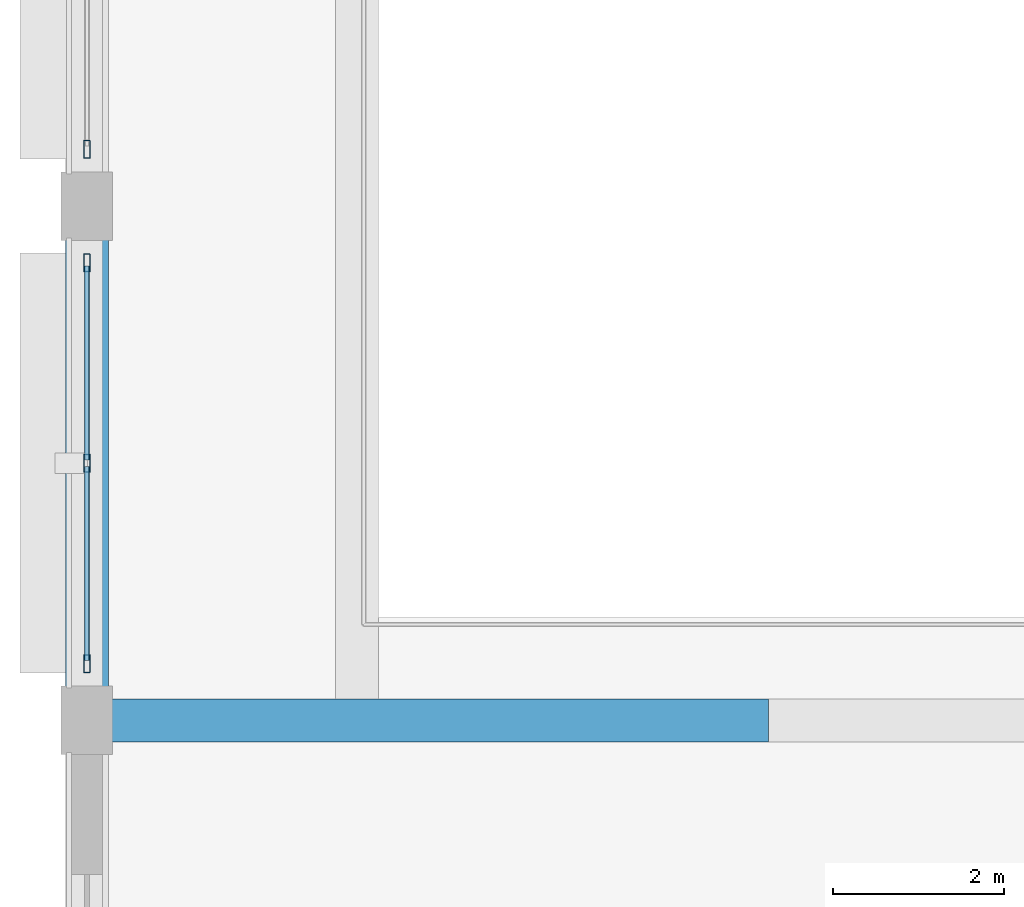
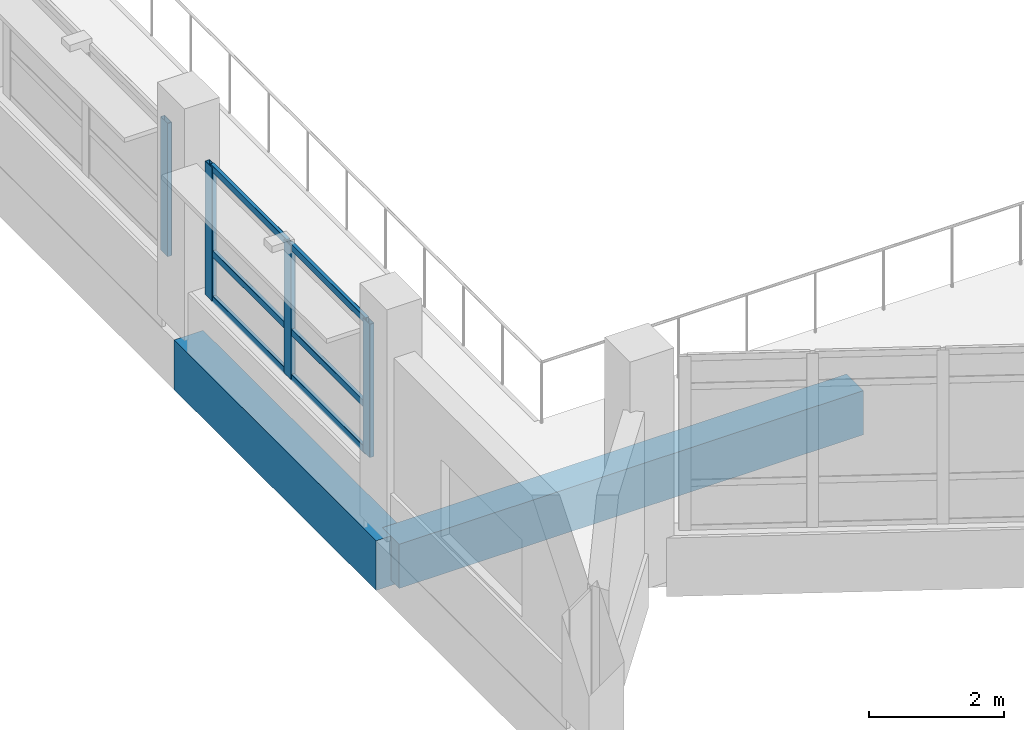
# One storey, part 14 of 128: 10 members, 2 beams, 2 elements without a shape of their own.
"""IFC4 building model written with IfcOpenShell, lengths in metres."""

import ifcopenshell
import ifcopenshell.guid

model = None  # the IFC model being written
_history = None  # IfcOwnerHistory: only IFC2X3 demands one
_inside = {}  # id of a spatial element -> (the spatial element, [elements in it])
_under = {}  # id of a project, library or spatial element -> (it, [spatial elements below it])
_declared = {}  # id of a project -> (the project, [libraries it declares])
_typed = {}  # id of a type object -> (the type object, [elements of that type])
_made_of = {}  # id of a material, layer set ... -> (it, [elements and type objects made of it])


def new_model(schema):
    """Start an empty IFC model of exactly this schema.

    Asked for "IFC4X3", IfcOpenShell would pick the latest addendum, in which some entities
    have other attributes; the version numbers below select the first issue.
    IFC2X3 requires an IfcOwnerHistory on every rooted entity: one is made here for all.
    """
    global model, _history
    if schema == "IFC4X3":
        model = ifcopenshell.file(schema_version=(4, 3, 0, 0))
    else:
        model = ifcopenshell.file(schema=schema)
    _inside.clear()
    _under.clear()
    _declared.clear()
    _typed.clear()
    _made_of.clear()
    _history = None
    if model.schema == "IFC2X3":
        org = make("IfcOrganization", Name="unknown")
        user = make(
            "IfcPersonAndOrganization",
            ThePerson=make("IfcPerson", FamilyName="unknown"),
            TheOrganization=org,
        )
        app = make(
            "IfcApplication",
            ApplicationDeveloper=org,
            Version="unknown",
            ApplicationFullName="unknown",
            ApplicationIdentifier="unknown",
        )
        _history = make(
            "IfcOwnerHistory",
            OwningUser=user,
            OwningApplication=app,
            ChangeAction="ADDED",
            CreationDate=0,
        )
    return model


def make(cls, **values):
    """One entity of the class cls with the attributes given. An attribute that is None is left unset."""
    return model.create_entity(
        cls, **{name: value for name, value in values.items() if value is not None}
    )


def rooted(cls, **values):
    """An entity with a GlobalId (a new one), such as an element, a storey or a relation."""
    return make(cls, GlobalId=ifcopenshell.guid.new(), OwnerHistory=_history, **values)


def si_unit(unit_type, name, prefix=None):
    """IfcSIUnit, for example si_unit("LENGTHUNIT", "METRE", prefix="MILLI")."""
    return make("IfcSIUnit", UnitType=unit_type, Prefix=prefix, Name=name)


def assignment(units):
    """IfcUnitAssignment: the units of a project."""
    return None if units is None else make("IfcUnitAssignment", Units=units)


def point(xyz):
    """IfcCartesianPoint."""
    return None if xyz is None else make("IfcCartesianPoint", Coordinates=xyz)


def direction(xyz):
    """IfcDirection."""
    return None if xyz is None else make("IfcDirection", DirectionRatios=xyz)


def frame(location, z_axis=None, x_axis=None):
    """IfcAxis2Placement3D, a coordinate frame: its origin and axes. An axis left out is left unset."""
    return make(
        "IfcAxis2Placement3D",
        Location=point(location),
        Axis=direction(z_axis),
        RefDirection=direction(x_axis),
    )


def frame_2d(location, x_axis=None):
    """IfcAxis2Placement2D, a coordinate frame in the plane: its origin and x axis."""
    return make(
        "IfcAxis2Placement2D", Location=point(location), RefDirection=direction(x_axis)
    )


def origin():
    """The frame at (0, 0, 0) with its axes left unset."""
    return frame((0.0, 0.0, 0.0))


def origin_2d():
    """The frame at (0, 0) in the plane with its x axis left unset."""
    return frame_2d((0.0, 0.0))


def place(relative_to, where):
    """IfcLocalPlacement: puts the frame where relative to a parent placement (None: the world)."""
    return make(
        "IfcLocalPlacement", PlacementRelTo=relative_to, RelativePlacement=where
    )


def context(
    kind, dimensions, precision=None, world=None, true_north=None, identifier=None
):
    """IfcGeometricRepresentationContext, for example the 3D "Model" context."""
    return make(
        "IfcGeometricRepresentationContext",
        ContextIdentifier=identifier,
        ContextType=kind,
        CoordinateSpaceDimension=dimensions,
        Precision=precision,
        WorldCoordinateSystem=world,
        TrueNorth=true_north,
    )


def subcontext(parent, identifier, kind, view, scale=None):
    """IfcGeometricRepresentationSubContext, for example "Body" below "Model"."""
    return make(
        "IfcGeometricRepresentationSubContext",
        ContextIdentifier=identifier,
        ContextType=kind,
        ParentContext=parent,
        TargetScale=scale,
        TargetView=view,
    )


def project(units=None, contexts=None):
    """IfcProject with its units and contexts."""
    return rooted(
        "IfcProject",
        Name="project",
        RepresentationContexts=contexts,
        UnitsInContext=assignment(units),
    )


def spatial(cls, under=None, at=None, **own):
    """A site, building, storey or space (cls), placed at a placement, below another one or the project."""
    s = rooted(cls, ObjectPlacement=at, **own)
    if under is not None:
        _under.setdefault(under.id(), (under, []))[1].append(s)
    return s


def profile(cls, at=None, kind="AREA", **sizes):
    """A parametric profile (cls). Its sizes go by their IFC names, for example OverallWidth=200.0."""
    return make(cls, ProfileType=kind, Position=at, **sizes)


def rectangle(**sizes):
    """IfcRectangleProfileDef."""
    return profile("IfcRectangleProfileDef", **sizes)


def hollow_rectangle(**sizes):
    """IfcRectangleHollowProfileDef."""
    return profile("IfcRectangleHollowProfileDef", **sizes)


def extrude(swept, where, along, depth):
    """IfcExtrudedAreaSolid: the profile swept, set in the frame where, extruded along a direction by depth."""
    return make(
        "IfcExtrudedAreaSolid",
        SweptArea=swept,
        Position=where,
        ExtrudedDirection=direction(along),
        Depth=depth,
    )


def shape(context_of_items, identifier, shape_type, items):
    """IfcShapeRepresentation: the items that make up one representation, for example the "Body"."""
    return make(
        "IfcShapeRepresentation",
        ContextOfItems=context_of_items,
        RepresentationIdentifier=identifier,
        RepresentationType=shape_type,
        Items=items,
    )


def material(Name=None, Category=None):
    """IfcMaterial."""
    return make("IfcMaterial", Name=Name, Category=Category)


def layer(
    of_material, thickness, ventilated=None, Name=None, Category=None, Priority=None
):
    """IfcMaterialLayer: one layer of a wall or slab, of a material (None: an air gap)."""
    return make(
        "IfcMaterialLayer",
        Material=of_material,
        LayerThickness=thickness,
        IsVentilated=ventilated,
        Name=Name,
        Category=Category,
        Priority=Priority,
    )


def layer_set(layers, Name=None):
    """IfcMaterialLayerSet."""
    return make("IfcMaterialLayerSet", MaterialLayers=layers, LayerSetName=Name)


def material_profile(
    of_material, cross_section, Name=None, Category=None, Priority=None
):
    """IfcMaterialProfile: a cross section and its material."""
    return make(
        "IfcMaterialProfile",
        Name=Name,
        Material=of_material,
        Profile=cross_section,
        Priority=Priority,
        Category=Category,
    )


def profile_set(profiles, Name=None, composite=None):
    """IfcMaterialProfileSet."""
    return make(
        "IfcMaterialProfileSet",
        Name=Name,
        MaterialProfiles=profiles,
        CompositeProfile=composite,
    )


def made_of(thing, what):
    """Note that an element or type object is made of a material, layer set ...; save() writes the relation."""
    if what is not None:
        _made_of.setdefault(what.id(), (what, []))[1].append(thing)
    return thing


def type_object(cls, material=None, **own):
    """A type object (cls), such as IfcWallType, which elements share."""
    return made_of(rooted(cls, **own), material)


def element(
    cls,
    number,
    at=None,
    inside=None,
    cuts=None,
    type_object=None,
    material=None,
    context=None,
    identifier="Body",
    shape_type=None,
    held_by="IfcProductDefinitionShape",
    body=None,
    shapes=None,
    **own,
):
    """One element of the class cls, such as IfcWall. Its Tag is "e" and its number.

    at: its placement. inside: the storey or other place that contains it. cuts: it is an
    opening in that element (IfcRelVoidsElement). A single representation is given by context,
    identifier, shape_type and body (its items); several are given by shapes. held_by: the class
    of the entity that holds the representations. save() writes the other relations.
    """
    e = rooted(cls, Tag="e%d" % number, ObjectPlacement=at, **own)
    if body is not None:
        shapes = [shape(context, identifier, shape_type, body)]
    if shapes is not None:
        e.Representation = make(held_by, Representations=shapes)
    if inside is not None:
        _inside.setdefault(inside.id(), (inside, []))[1].append(e)
    if cuts is not None:
        rooted(
            "IfcRelVoidsElement", RelatingBuildingElement=cuts, RelatedOpeningElement=e
        )
    if type_object is not None:
        _typed.setdefault(type_object.id(), (type_object, []))[1].append(e)
    return made_of(e, material)


def aggregate(whole, parts):
    """IfcRelAggregates: a whole, such as a stair, and the parts it consists of."""
    return rooted("IfcRelAggregates", RelatingObject=whole, RelatedObjects=parts)


def save(model, path):
    """Write the relations noted so far, then the file.

    IfcRelAggregates (storeys below a building ...), IfcRelContainedInSpatialStructure (elements
    in a storey), IfcRelDefinesByType, IfcRelAssociatesMaterial and IfcRelDeclares: one each for
    every whole, place, type object, material and project.
    """
    for whole, parts in _under.values():
        aggregate(whole, parts)
    for where, things in _inside.values():
        rooted(
            "IfcRelContainedInSpatialStructure",
            RelatedElements=things,
            RelatingStructure=where,
        )
    for kind, things in _typed.values():
        rooted("IfcRelDefinesByType", RelatedObjects=things, RelatingType=kind)
    for what, things in _made_of.values():
        rooted("IfcRelAssociatesMaterial", RelatedObjects=things, RelatingMaterial=what)
    for by, libraries in _declared.values():
        rooted("IfcRelDeclares", RelatingContext=by, RelatedDefinitions=libraries)
    model.write(path)


model = new_model("IFC4")

# Units and contexts
model_context = context("Model", 3, precision=1e-05, world=origin(), true_north=direction((0.0, 1.0)))
body_context = subcontext(model_context, "Body", "Model", "MODEL_VIEW")
ifc_project = project(units=[si_unit("LENGTHUNIT", "METRE"), si_unit("AREAUNIT", "SQUARE_METRE"), si_unit("VOLUMEUNIT", "CUBIC_METRE"), si_unit("PLANEANGLEUNIT", "RADIAN"), si_unit("MASSUNIT", "GRAM", prefix="KILO")], contexts=[model_context])

# Site, building, storey
site_placement = place(None, origin())
site = spatial("IfcSite", under=ifc_project, at=site_placement, CompositionType="ELEMENT")
building_placement = place(site_placement, origin())
building = spatial("IfcBuilding", under=site, at=building_placement, Name="Vespera Passage Community Centre", CompositionType="ELEMENT")
storey_placement = place(building_placement, frame((0.0, 0.0, 4.5)))
storey = spatial("IfcBuildingStorey", under=building, at=storey_placement, Name="L01", CompositionType="ELEMENT", Elevation=4.5)

# Beams
ifc_material_1 = material(Name="Concrete f'c 35 MPa", Category="concrete")
ifc_material_profile_1 = material_profile(ifc_material_1, rectangle(XDim=0.5, YDim=0.800048828125, at=origin_2d()), Name="RC500X800")
ifc_profile_set_1 = profile_set([ifc_material_profile_1], Name="Concrete f'c 35 MPa")
beam_type_1 = type_object("IfcBeamType", Name="BM-G-500X800", PredefinedType="BEAM", material=ifc_profile_set_1)
beam_1_placement = place(storey_placement, frame((4.050048828125, 13.0, -0.639892578125), z_axis=(1.0, 0.0, 0.0), x_axis=(0.0, 1.0, 0.0)))
element("IfcBeam", 1, at=beam_1_placement, inside=storey, type_object=beam_type_1, Name="V1 L01 S Gallery Girder 1", PredefinedType="BEAM", context=body_context, shape_type="SweptSolid", body=[
    extrude(rectangle(XDim=0.5, YDim=0.800048828125, at=origin_2d()), origin(), (0.0, 0.0, 1.0), 7.949951171875),
])
ifc_material_2 = material(Name="Concrete f'c 45 MPa", Category="concrete")
ifc_material_profile_2 = material_profile(ifc_material_2, rectangle(XDim=0.5, YDim=0.89990234375, at=origin_2d()), Name="RC500X900")
ifc_profile_set_2 = profile_set([ifc_material_profile_2], Name="Concrete f'c 45 MPa")
beam_type_2 = type_object("IfcBeamType", Name="BM-SP-500X900E", PredefinedType="SPANDREL", material=ifc_profile_set_2)
beam_2_placement = place(storey_placement, frame((4.050048828125, 13.0, -0.68994140625), z_axis=(0.0, 1.0, 0.0), x_axis=(-1.0, 0.0, 0.0)))
element("IfcBeam", 2, at=beam_2_placement, inside=storey, type_object=beam_type_2, Name="V1 L01 Spandrel W2", PredefinedType="SPANDREL", context=body_context, shape_type="SweptSolid", body=[
    extrude(rectangle(XDim=0.5, YDim=0.89990234375, at=origin_2d()), origin(), (0.0, 0.0, 1.0), 6.0),
])

# Curtain wall, members
ifc_material_3 = material(Name="Anodized aluminium 6063-T6", Category="aluminium")
ifc_layer = layer(ifc_material_3, 0.159912109375)
ifc_layer_set = layer_set([ifc_layer], Name="Anodized aluminium 6063-T6")
curtain_wall_type = type_object("IfcCurtainWallType", Name="CW-84E", PredefinedType="NOTDEFINED", material=ifc_layer_set)
curtain_wall_1_placement = place(storey_placement, origin())
curtain_wall_1 = element("IfcCurtainWall", 3, at=curtain_wall_1_placement, inside=storey, type_object=curtain_wall_type, Name="Main Hall Acoustic Curtain Wall L01 W2", PredefinedType="NOTDEFINED")
ifc_material_4 = material(Name="Anodized aluminium 6063-T6", Category="aluminium")
ifc_material_profile_3 = material_profile(ifc_material_4, hollow_rectangle(XDim=0.074951171875, YDim=0.2099609375, WallThickness=0.0048828125, InnerFilletRadius=0.00244140625, OuterFilletRadius=0.0048828125, at=origin_2d()), Name="ALU210X75X5")
ifc_profile_set_3 = profile_set([ifc_material_profile_3], Name="Anodized aluminium 6063-T6")
member_type_1 = type_object("IfcMemberType", Name="MB-CWM-210E", PredefinedType="MULLION", material=ifc_profile_set_3)
member_1_placement = place(storey_placement, frame((4.050048828125, 13.66259765625, 0.85009765625), z_axis=(0.0, 0.0, 1.0), x_axis=(-1.0, 0.0, 0.0)))
member_1 = element("IfcMember", 4, at=member_1_placement, type_object=member_type_1, Name="CW-84E mullion 1", PredefinedType="MULLION", context=body_context, shape_type="SweptSolid", body=[
    extrude(hollow_rectangle(XDim=0.074951171875, YDim=0.2099609375, WallThickness=0.0048828125, InnerFilletRadius=0.00244140625, OuterFilletRadius=0.0048828125, at=origin_2d()), origin(), (0.0, 0.0, 1.0), 2.414794921875),
])
member_2_placement = place(storey_placement, frame((4.050048828125, 16.0, 0.85009765625), z_axis=(0.0, 0.0, 1.0), x_axis=(-1.0, 0.0, 0.0)))
member_2 = element("IfcMember", 5, at=member_2_placement, type_object=member_type_1, Name="CW-84E mullion 2", PredefinedType="MULLION", context=body_context, shape_type="SweptSolid", body=[
    extrude(hollow_rectangle(XDim=0.074951171875, YDim=0.2099609375, WallThickness=0.0048828125, InnerFilletRadius=0.00244140625, OuterFilletRadius=0.0048828125, at=origin_2d()), origin(), (0.0, 0.0, 1.0), 2.414794921875),
])
member_3_placement = place(storey_placement, frame((4.050048828125, 18.33740234375, 0.85009765625), z_axis=(0.0, 0.0, 1.0), x_axis=(-1.0, 0.0, 0.0)))
member_3 = element("IfcMember", 6, at=member_3_placement, type_object=member_type_1, Name="CW-84E mullion 3", PredefinedType="MULLION", context=body_context, shape_type="SweptSolid", body=[
    extrude(hollow_rectangle(XDim=0.074951171875, YDim=0.2099609375, WallThickness=0.0048828125, InnerFilletRadius=0.00244140625, OuterFilletRadius=0.0048828125, at=origin_2d()), origin(), (0.0, 0.0, 1.0), 2.414794921875),
])

# Curtain wall, member
curtain_wall_2_placement = place(storey_placement, origin())
curtain_wall_2 = element("IfcCurtainWall", 7, at=curtain_wall_2_placement, inside=storey, type_object=curtain_wall_type, Name="Main Hall Acoustic Curtain Wall L01 W3", PredefinedType="NOTDEFINED")
member_4_placement = place(storey_placement, frame((4.050048828125, 19.66259765625, 0.85009765625), z_axis=(0.0, 0.0, 1.0), x_axis=(-1.0, 0.0, 0.0)))
member_4 = element("IfcMember", 8, at=member_4_placement, type_object=member_type_1, Name="CW-84E mullion 1", PredefinedType="MULLION", context=body_context, shape_type="SweptSolid", body=[
    extrude(hollow_rectangle(XDim=0.074951171875, YDim=0.2099609375, WallThickness=0.0048828125, InnerFilletRadius=0.00244140625, OuterFilletRadius=0.0048828125, at=origin_2d()), origin(), (0.0, 0.0, 1.0), 2.414794921875),
])
aggregate(curtain_wall_2, [member_4])

# Member
ifc_material_5 = material(Name="Anodized aluminium 6063-T6", Category="aluminium")
ifc_material_profile_4 = material_profile(ifc_material_5, hollow_rectangle(XDim=0.06005859375, YDim=0.1201171875, WallThickness=0.00390625, InnerFilletRadius=0.001953125, OuterFilletRadius=0.00390625, at=origin_2d()), Name="ALU120X60X4")
ifc_profile_set_4 = profile_set([ifc_material_profile_4], Name="Anodized aluminium 6063-T6")
member_type_2 = type_object("IfcMemberType", Name="MB-CWT-120E", PredefinedType="USERDEFINED", material=ifc_profile_set_4)
member_5_placement = place(storey_placement, frame((4.050048828125, 13.699951171875, 0.8798828125), z_axis=(0.0, 1.0, 0.0), x_axis=(-1.0, 0.0, 0.0)))
member_5 = element("IfcMember", 9, at=member_5_placement, type_object=member_type_2, Name="CW-84E transom 1.1", ObjectType="TRANSOM", PredefinedType="USERDEFINED", context=body_context, shape_type="SweptSolid", body=[
    extrude(hollow_rectangle(XDim=0.06005859375, YDim=0.1201171875, WallThickness=0.00390625, InnerFilletRadius=0.001953125, OuterFilletRadius=0.00390625, at=origin_2d()), origin(), (0.0, 0.0, 1.0), 2.262451171875),
])

member_6_placement = place(storey_placement, frame((4.050048828125, 13.699951171875, 1.699951171875), z_axis=(0.0, 1.0, 0.0), x_axis=(-1.0, 0.0, 0.0)))
member_6 = element("IfcMember", 10, at=member_6_placement, type_object=member_type_2, Name="CW-84E transom 1.2", ObjectType="TRANSOM", PredefinedType="USERDEFINED", context=body_context, shape_type="SweptSolid", body=[
    extrude(hollow_rectangle(XDim=0.06005859375, YDim=0.1201171875, WallThickness=0.00390625, InnerFilletRadius=0.001953125, OuterFilletRadius=0.00390625, at=origin_2d()), origin(), (0.0, 0.0, 1.0), 2.262451171875),
])

member_7_placement = place(storey_placement, frame((4.050048828125, 13.699951171875, 3.235107421875), z_axis=(0.0, 1.0, 0.0), x_axis=(-1.0, 0.0, 0.0)))
member_7 = element("IfcMember", 11, at=member_7_placement, type_object=member_type_2, Name="CW-84E transom 1.3", ObjectType="TRANSOM", PredefinedType="USERDEFINED", context=body_context, shape_type="SweptSolid", body=[
    extrude(hollow_rectangle(XDim=0.06005859375, YDim=0.1201171875, WallThickness=0.00390625, InnerFilletRadius=0.001953125, OuterFilletRadius=0.00390625, at=origin_2d()), origin(), (0.0, 0.0, 1.0), 2.262451171875),
])

member_8_placement = place(storey_placement, frame((4.050048828125, 16.03759765625, 0.8798828125), z_axis=(0.0, 1.0, 0.0), x_axis=(-1.0, 0.0, 0.0)))
member_8 = element("IfcMember", 12, at=member_8_placement, type_object=member_type_2, Name="CW-84E transom 2.1", ObjectType="TRANSOM", PredefinedType="USERDEFINED", context=body_context, shape_type="SweptSolid", body=[
    extrude(hollow_rectangle(XDim=0.06005859375, YDim=0.1201171875, WallThickness=0.00390625, InnerFilletRadius=0.001953125, OuterFilletRadius=0.00390625, at=origin_2d()), origin(), (0.0, 0.0, 1.0), 2.262451171875),
])

member_9_placement = place(storey_placement, frame((4.050048828125, 16.03759765625, 1.699951171875), z_axis=(0.0, 1.0, 0.0), x_axis=(-1.0, 0.0, 0.0)))
member_9 = element("IfcMember", 13, at=member_9_placement, type_object=member_type_2, Name="CW-84E transom 2.2", ObjectType="TRANSOM", PredefinedType="USERDEFINED", context=body_context, shape_type="SweptSolid", body=[
    extrude(hollow_rectangle(XDim=0.06005859375, YDim=0.1201171875, WallThickness=0.00390625, InnerFilletRadius=0.001953125, OuterFilletRadius=0.00390625, at=origin_2d()), origin(), (0.0, 0.0, 1.0), 2.262451171875),
])

member_10_placement = place(storey_placement, frame((4.050048828125, 16.03759765625, 3.235107421875), z_axis=(0.0, 1.0, 0.0), x_axis=(-1.0, 0.0, 0.0)))
member_10 = element("IfcMember", 14, at=member_10_placement, type_object=member_type_2, Name="CW-84E transom 2.3", ObjectType="TRANSOM", PredefinedType="USERDEFINED", context=body_context, shape_type="SweptSolid", body=[
    extrude(hollow_rectangle(XDim=0.06005859375, YDim=0.1201171875, WallThickness=0.00390625, InnerFilletRadius=0.001953125, OuterFilletRadius=0.00390625, at=origin_2d()), origin(), (0.0, 0.0, 1.0), 2.262451171875),
])

aggregate(curtain_wall_1, [member_1, member_2, member_3, member_5, member_6, member_7, member_8, member_9, member_10])

save(model, "model.ifc")
